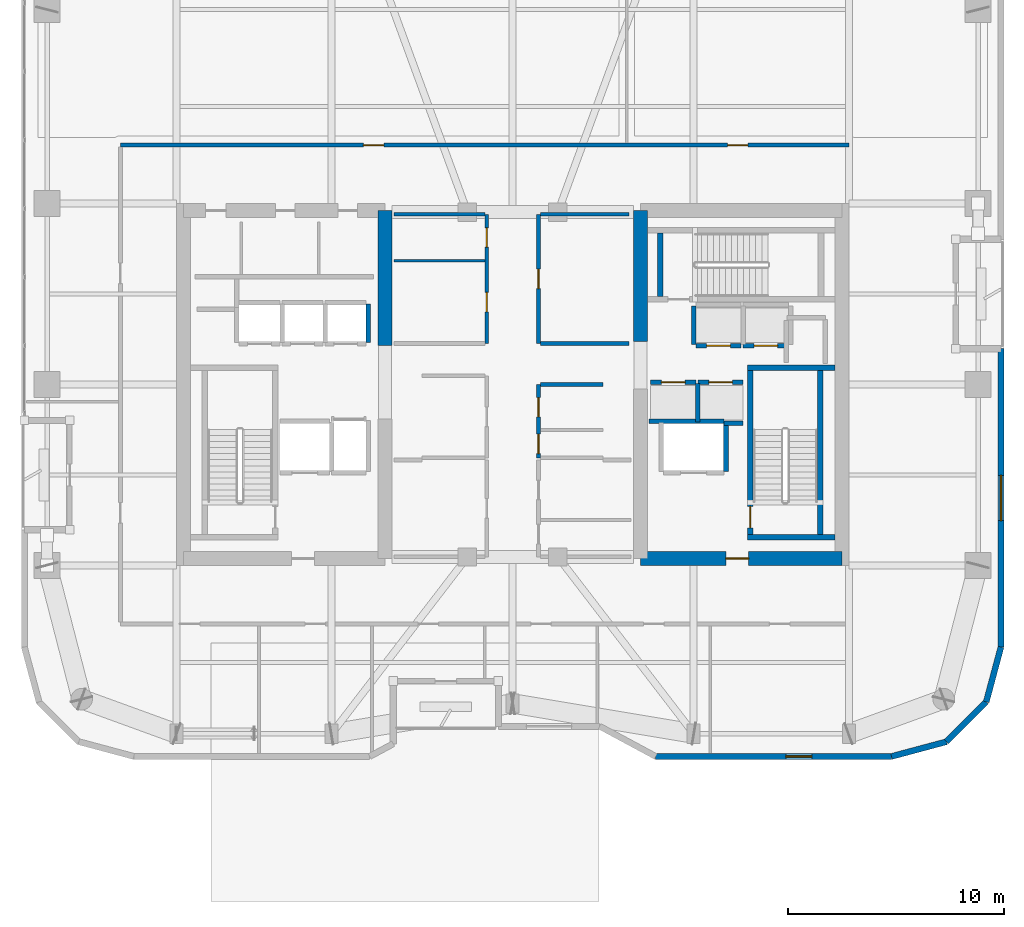
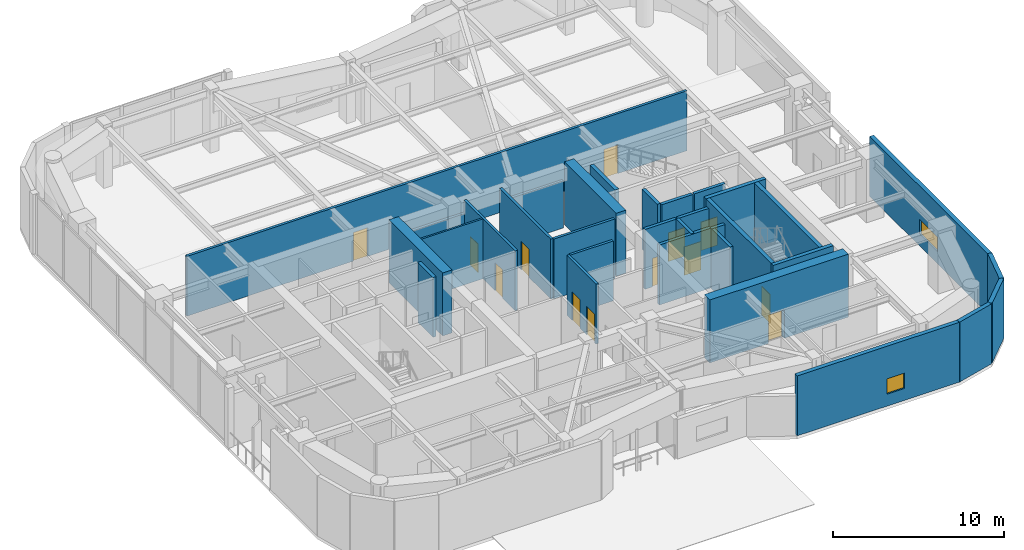
# One storey, part 13 of 18: 32 walls, 13 doors, 2 windows, 15 openings.
"""IFC4 building model written with IfcOpenShell, lengths in metres."""

from ifc_helpers import new_model, si_unit, direction, frame, frame_2d, origin, place, context, subcontext, project, spatial, rectangle, extrude, material, layer, layer_set, type_object, element, fill, save


model = new_model("IFC4")

# Units and contexts
model_context = context("Model", 3, precision=1e-05, world=origin(), true_north=direction((0.0, 1.0)))
body_context = subcontext(model_context, "Body", "Model", "MODEL_VIEW")
ifc_project = project(units=[si_unit("LENGTHUNIT", "METRE"), si_unit("AREAUNIT", "SQUARE_METRE"), si_unit("VOLUMEUNIT", "CUBIC_METRE"), si_unit("PLANEANGLEUNIT", "RADIAN"), si_unit("MASSUNIT", "GRAM", prefix="KILO")], contexts=[model_context])

# Site, building, storey
site_placement = place(None, origin())
site = spatial("IfcSite", under=ifc_project, at=site_placement, CompositionType="ELEMENT")
building_placement = place(site_placement, origin())
building = spatial("IfcBuilding", under=site, at=building_placement, Name="Kiyonajd Concourse Tower", CompositionType="ELEMENT")
storey_placement = place(building_placement, frame((0.0, 0.0, 214.800048828125)))
storey = spatial("IfcBuildingStorey", under=building, at=storey_placement, Name="L54", CompositionType="ELEMENT", Elevation=214.800048828125)

# Walls
ifc_material_1 = material(Name="Concrete C60/75", Category="concrete")
ifc_layer_1 = layer(ifc_material_1, 0.64990234375)
ifc_layer_set_1 = layer_set([ifc_layer_1], Name="Concrete C60/75")
wall_type_1 = type_object("IfcWallType", Name="WL-CORE-650", PredefinedType="SHEAR", material=ifc_layer_set_1)
wall_1_placement = place(storey_placement, frame((42.074951171875, 37.800048828125, 0.0), z_axis=(0.0, 0.0, 1.0), x_axis=(0.0, 1.0, 0.0)))
element("IfcWall", 1, at=wall_1_placement, inside=storey, type_object=wall_type_1, Name="L54 West Core Inner North Shear Wall", PredefinedType="SHEAR", context=body_context, shape_type="SweptSolid", body=[
    extrude(rectangle(XDim=6.27490234375, YDim=0.64990234375, at=frame_2d((3.137451171875, 0.0))), origin(), (0.0, 0.0, 1.0), 4.5),
])
wall_2_placement = place(storey_placement, frame((53.925048828125, 38.0, 0.0), z_axis=(0.0, 0.0, 1.0), x_axis=(0.0, 1.0, 0.0)))
element("IfcWall", 2, at=wall_2_placement, inside=storey, type_object=wall_type_1, Name="L54 East Core Inner North Shear Wall", PredefinedType="SHEAR", context=body_context, shape_type="SweptSolid", body=[
    extrude(rectangle(XDim=6.074951171875, YDim=0.64990234375, at=frame_2d((3.03759765625, 0.0))), origin(), (0.0, 0.0, 1.0), 4.5),
])

# Wall, opening, door
wall_3_placement = place(storey_placement, frame((53.925048828125, 27.925048828125, 0.0), z_axis=(0.0, 0.0, 1.0), x_axis=(1.0, 0.0, 0.0)))
wall_3 = element("IfcWall", 3, at=wall_3_placement, inside=storey, type_object=wall_type_1, Name="L54 East Core South Shear Wall", PredefinedType="SHEAR", context=body_context, shape_type="SweptSolid", body=[
    extrude(rectangle(XDim=9.349853515625, YDim=0.64990234375, at=frame_2d((4.6748046875, 0.0))), origin(), (0.0, 0.0, 1.0), 4.5),
])
opening_1_placement = place(wall_3_placement, frame((3.97509765625, 0.0, 0.0)))
opening_1 = element("IfcOpeningElement", 4, at=opening_1_placement, cuts=wall_3, Name="Opening DF5", PredefinedType="OPENING", context=body_context, shape_type="SweptSolid", body=[
    extrude(rectangle(XDim=1.050048828125, YDim=2.0400390625, at=frame_2d((0.52490234375, 1.02001953125))), frame((0.0, 0.3349609375, 0.0), z_axis=(0.0, -1.0, 0.0), x_axis=(1.0, 0.0, 0.0)), (0.0, 0.0, 1.0), 0.669921875),
])
ifc_material_2 = material(Name="Brushed Stainless Steel Cab Assembly", Category="steel")
door_type_1 = type_object("IfcDoorType", Name="DR-FD45-1050", OperationType="NOTDEFINED", PredefinedType="DOOR", material=ifc_material_2)
door_1_placement = place(opening_1_placement, origin())
door_1 = element("IfcDoor", 5, at=door_1_placement, inside=storey, type_object=door_type_1, Name="L54 Firefighting Lift Lobby E Smoke Door", OperationType="SINGLE_SWING_RIGHT", OverallHeight=2.0400390625, OverallWidth=1.050048828125, PredefinedType="DOOR", context=body_context, shape_type="SweptSolid", body=[
    extrude(rectangle(XDim=1.050048828125, YDim=2.0400390625, at=frame_2d((0.52490234375, 1.02001953125))), frame((0.0, 0.02490234375, 0.0), z_axis=(0.0, -1.0, 0.0), x_axis=(1.0, 0.0, 0.0)), (0.0, 0.0, 1.0), 0.050048828125),
])
fill(opening_1, door_1)

# Wall, opening, window
ifc_material_3 = material(Name="Precast concrete C50/60", Category="concrete")
ifc_layer_2 = layer(ifc_material_3, 0.280029296875)
ifc_layer_set_2 = layer_set([ifc_layer_2], Name="Precast concrete C50/60")
wall_type_2 = type_object("IfcWallType", Name="WL-EXT-280", PredefinedType="SOLIDWALL", material=ifc_layer_set_2)
wall_4_placement = place(storey_placement, frame((70.659912109375, 37.659912109375, 0.0), z_axis=(0.0, 0.0, 1.0), x_axis=(0.0, -1.0, 0.0)))
wall_4 = element("IfcWall", 6, at=wall_4_placement, inside=storey, type_object=wall_type_2, Name="L54 Exterior Concrete Frame Wall 24", PredefinedType="SOLIDWALL", context=body_context, shape_type="SweptSolid", body=[
    extrude(rectangle(XDim=13.841552734375, YDim=0.280029296875, at=frame_2d((6.9208984375, 0.0))), origin(), (0.0, 0.0, 1.0), 4.280029296875),
])
opening_2_placement = place(wall_4_placement, frame((5.87109375, 0.0, 0.85009765625)))
opening_2 = element("IfcOpeningElement", 7, at=opening_2_placement, cuts=wall_4, Name="Opening WN5", PredefinedType="OPENING", context=body_context, shape_type="SweptSolid", body=[
    extrude(rectangle(XDim=2.10009765625, YDim=1.050048828125, at=frame_2d((1.050048828125, 0.52490234375))), frame((0.0, 0.14990234375, 0.0), z_axis=(0.0, -1.0, 0.0), x_axis=(1.0, 0.0, 0.0)), (0.0, 0.0, 1.0), 0.300048828125),
])
ifc_material_4 = material(Name="Double Low-E Insulated Glass", Category="glass")
window_type_1 = type_object("IfcWindowType", Name="WN-VIS-2100x1050", PartitioningType="SINGLE_PANEL", PredefinedType="WINDOW", material=ifc_material_4)
window_1_placement = place(opening_2_placement, origin())
window_1 = element("IfcWindow", 8, at=window_1_placement, inside=storey, type_object=window_type_1, Name="L54 Modular Facade Vision Window 24", OverallHeight=1.050048828125, OverallWidth=2.10009765625, PartitioningType="SINGLE_PANEL", PredefinedType="WINDOW", context=body_context, shape_type="SweptSolid", body=[
    extrude(rectangle(XDim=2.10009765625, YDim=1.050048828125, at=frame_2d((1.050048828125, 0.52490234375))), frame((0.0, 0.030029296875, 0.0), z_axis=(0.0, -1.0, 0.0), x_axis=(1.0, 0.0, 0.0)), (0.0, 0.0, 1.0), 0.06005859375),
])
fill(opening_2, window_1)

# Walls
wall_5_placement = place(storey_placement, frame((70.659912109375, 23.818359375, 0.0), z_axis=(0.0, 0.0, 1.0), x_axis=(-0.2588904131, -0.965906700466, 0.0)))
element("IfcWall", 9, at=wall_5_placement, inside=storey, type_object=wall_type_2, Name="L54 Exterior Concrete Frame Wall 25", PredefinedType="SOLIDWALL", context=body_context, shape_type="SweptSolid", body=[
    extrude(rectangle(XDim=2.6357421875, YDim=0.280029296875, at=frame_2d((1.31787109375, 0.0))), origin(), (0.0, 0.0, 1.0), 4.280029296875),
])
wall_6_placement = place(storey_placement, frame((69.9775390625, 21.2724609375, 0.0), z_axis=(0.0, 0.0, 1.0), x_axis=(-0.707153437963, -0.707060121331, 0.0)))
element("IfcWall", 10, at=wall_6_placement, inside=storey, type_object=wall_type_2, Name="L54 Exterior Concrete Frame Wall 26", PredefinedType="SOLIDWALL", context=body_context, shape_type="SweptSolid", body=[
    extrude(rectangle(XDim=2.6162109375, YDim=0.280029296875, at=frame_2d((1.30810546875, 0.0))), origin(), (0.0, 0.0, 1.0), 4.280029296875),
])
wall_7_placement = place(storey_placement, frame((68.12744140625, 19.422607421875, 0.0), z_axis=(0.0, 0.0, 1.0), x_axis=(-0.965883534663, -0.258976828051, 0.0)))
element("IfcWall", 11, at=wall_7_placement, inside=storey, type_object=wall_type_2, Name="L54 Exterior Concrete Frame Wall 27", PredefinedType="SOLIDWALL", context=body_context, shape_type="SweptSolid", body=[
    extrude(rectangle(XDim=2.6357421875, YDim=0.280029296875, at=frame_2d((1.31787109375, 0.0))), origin(), (0.0, 0.0, 1.0), 4.280029296875),
])

# Wall, opening, window
wall_8_placement = place(storey_placement, frame((65.58154296875, 18.739990234375, 0.0), z_axis=(0.0, 0.0, 1.0), x_axis=(-1.0, 0.0, 0.0)))
wall_8 = element("IfcWall", 12, at=wall_8_placement, inside=storey, type_object=wall_type_2, Name="L54 Exterior Concrete Frame Wall 28", PredefinedType="SOLIDWALL", context=body_context, shape_type="SweptSolid", body=[
    extrude(rectangle(XDim=10.9462890625, YDim=0.280029296875, at=frame_2d((5.47314453125, 0.0))), origin(), (0.0, 0.0, 1.0), 4.280029296875),
])
opening_3_placement = place(wall_8_placement, frame((3.700927734375, 0.0, 0.85009765625)))
opening_3 = element("IfcOpeningElement", 13, at=opening_3_placement, cuts=wall_8, Name="Opening WN3", PredefinedType="OPENING", context=body_context, shape_type="SweptSolid", body=[
    extrude(rectangle(XDim=1.199951171875, YDim=1.10009765625, at=frame_2d((0.60009765625, 0.550048828125))), frame((0.0, 0.14990234375, 0.0), z_axis=(0.0, -1.0, 0.0), x_axis=(1.0, 0.0, 0.0)), (0.0, 0.0, 1.0), 0.300048828125),
])
window_type_2 = type_object("IfcWindowType", Name="WN-VIS-1200x1100", PartitioningType="SINGLE_PANEL", PredefinedType="WINDOW", material=ifc_material_4)
window_2_placement = place(opening_3_placement, origin())
window_2 = element("IfcWindow", 14, at=window_2_placement, inside=storey, type_object=window_type_2, Name="L54 Modular Facade Vision Window 28", OverallHeight=1.10009765625, OverallWidth=1.199951171875, PartitioningType="SINGLE_PANEL", PredefinedType="WINDOW", context=body_context, shape_type="SweptSolid", body=[
    extrude(rectangle(XDim=1.199951171875, YDim=1.10009765625, at=frame_2d((0.60009765625, 0.550048828125))), frame((0.0, 0.030029296875, 0.0), z_axis=(0.0, -1.0, 0.0), x_axis=(1.0, 0.0, 0.0)), (0.0, 0.0, 1.0), 0.06005859375),
])
fill(opening_3, window_2)

# Walls
ifc_material_5 = material(Name="Gypsum Board on Cold-Formed Steel Stud", Category="steel")
ifc_layer_3 = layer(ifc_material_5, 0.125)
ifc_layer_set_3 = layer_set([ifc_layer_3], Name="Gypsum Board on Cold-Formed Steel Stud")
wall_type_3 = type_object("IfcWallType", Name="WL-PART-125", PredefinedType="PARTITIONING", material=ifc_layer_set_3)
wall_9_placement = place(storey_placement, frame((42.5, 41.739990234375, 0.0), z_axis=(0.0, 0.0, 1.0), x_axis=(1.0, 0.0, 0.0)))
element("IfcWall", 15, at=wall_9_placement, inside=storey, type_object=wall_type_3, Name="L54 Interior Partition Wall", PredefinedType="PARTITIONING", context=body_context, shape_type="SweptSolid", body=[
    extrude(rectangle(XDim=4.212890625, YDim=0.125, at=frame_2d((2.1064453125, 0.0))), origin(), (0.0, 0.0, 1.0), 4.280029296875),
])
ifc_layer_4 = layer(ifc_material_5, 0.2099609375)
ifc_layer_set_4 = layer_set([ifc_layer_4], Name="Gypsum Board on Cold-Formed Steel Stud")
wall_type_4 = type_object("IfcWallType", Name="WL-SHAFT-210", PredefinedType="PARTITIONING", material=ifc_layer_set_4)
wall_10_placement = place(storey_placement, frame((54.320068359375, 34.300048828125, 0.0), z_axis=(0.0, 0.0, 1.0), x_axis=(1.0, 0.0, 0.0)))
element("IfcWall", 16, at=wall_10_placement, inside=storey, type_object=wall_type_4, Name="L54 Shaft Enclosure Wall", PredefinedType="PARTITIONING", context=body_context, shape_type="SweptSolid", body=[
    extrude(rectangle(XDim=3.47998046875, YDim=0.2099609375, at=frame_2d((1.739990234375, 0.0))), origin(), (0.0, 0.0, 1.0), 4.280029296875),
])
wall_11_placement = place(storey_placement, frame((57.89990234375, 31.9599609375, 0.0), z_axis=(0.0, 0.0, 1.0), x_axis=(0.0, 1.0, 0.0)))
element("IfcWall", 17, at=wall_11_placement, inside=storey, type_object=wall_type_4, Name="L54 Shaft Enclosure Wall", PredefinedType="PARTITIONING", context=body_context, shape_type="SweptSolid", body=[
    extrude(rectangle(XDim=2.280029296875, YDim=0.2099609375, at=frame_2d((1.14013671875, 0.0))), origin(), (0.0, 0.0, 1.0), 4.280029296875),
])

# Wall, opening, door
wall_12_placement = place(storey_placement, frame((54.39990234375, 36.10009765625, 0.0), z_axis=(0.0, 0.0, 1.0), x_axis=(1.0, 0.0, 0.0)))
wall_12 = element("IfcWall", 18, at=wall_12_placement, inside=storey, type_object=wall_type_4, Name="L54 Shaft Enclosure Wall", PredefinedType="PARTITIONING", context=body_context, shape_type="SweptSolid", body=[
    extrude(rectangle(XDim=2.10009765625, YDim=0.2099609375, at=frame_2d((1.050048828125, 0.0))), origin(), (0.0, 0.0, 1.0), 4.280029296875),
])
opening_4_placement = place(wall_12_placement, frame((0.5, 0.0, 0.0)))
opening_4 = element("IfcOpeningElement", 19, at=opening_4_placement, cuts=wall_12, Name="Opening LD1", PredefinedType="OPENING", context=body_context, shape_type="SweptSolid", body=[
    extrude(rectangle(XDim=1.10009765625, YDim=2.0400390625, at=frame_2d((0.550048828125, 1.02001953125))), frame((0.0, 0.114990234375, 0.0), z_axis=(0.0, -1.0, 0.0), x_axis=(1.0, 0.0, 0.0)), (0.0, 0.0, 1.0), 0.22998046875),
])
door_type_2 = type_object("IfcDoorType", Name="DR-LD-1100", OperationType="DOUBLE_DOOR_SLIDING", PredefinedType="DOOR", material=ifc_material_2)
door_2_placement = place(opening_4_placement, origin())
door_2 = element("IfcDoor", 20, at=door_2_placement, inside=storey, type_object=door_type_2, Name="L54 Lift PL-H1 Sliding Landing Door", OperationType="DOUBLE_DOOR_SLIDING", OverallHeight=2.0400390625, OverallWidth=1.10009765625, PredefinedType="DOOR", context=body_context, shape_type="SweptSolid", body=[
    extrude(rectangle(XDim=1.10009765625, YDim=2.0400390625, at=frame_2d((0.550048828125, 1.02001953125))), frame((0.0, 0.02490234375, 0.0), z_axis=(0.0, -1.0, 0.0), x_axis=(1.0, 0.0, 0.0)), (0.0, 0.0, 1.0), 0.050048828125),
])
fill(opening_4, door_2)

# Wall
wall_13_placement = place(storey_placement, frame((56.60009765625, 34.260009765625, 0.0), z_axis=(0.0, 0.0, 1.0), x_axis=(0.0, 1.0, 0.0)))
element("IfcWall", 21, at=wall_13_placement, inside=storey, type_object=wall_type_4, Name="L54 Shaft Enclosure Wall", PredefinedType="PARTITIONING", context=body_context, shape_type="SweptSolid", body=[
    extrude(rectangle(XDim=1.780029296875, YDim=0.2099609375, at=frame_2d((0.89013671875, 0.0))), origin(), (0.0, 0.0, 1.0), 4.280029296875),
])

# Wall, opening, door
wall_14_placement = place(storey_placement, frame((56.60009765625, 36.10009765625, 0.0), z_axis=(0.0, 0.0, 1.0), x_axis=(1.0, 0.0, 0.0)))
wall_14 = element("IfcWall", 22, at=wall_14_placement, inside=storey, type_object=wall_type_4, Name="L54 Shaft Enclosure Wall", PredefinedType="PARTITIONING", context=body_context, shape_type="SweptSolid", body=[
    extrude(rectangle(XDim=2.099853515625, YDim=0.2099609375, at=frame_2d((1.0498046875, 0.0))), origin(), (0.0, 0.0, 1.0), 4.280029296875),
])
opening_5_placement = place(wall_14_placement, frame((0.5, 0.0, 0.0)))
opening_5 = element("IfcOpeningElement", 23, at=opening_5_placement, cuts=wall_14, Name="Opening LD1", PredefinedType="OPENING", context=body_context, shape_type="SweptSolid", body=[
    extrude(rectangle(XDim=1.10009765625, YDim=2.0400390625, at=frame_2d((0.550048828125, 1.02001953125))), frame((0.0, 0.114990234375, 0.0), z_axis=(0.0, -1.0, 0.0), x_axis=(1.0, 0.0, 0.0)), (0.0, 0.0, 1.0), 0.22998046875),
])
door_3_placement = place(opening_5_placement, origin())
door_3 = element("IfcDoor", 24, at=door_3_placement, inside=storey, type_object=door_type_2, Name="L54 Lift PL-H2 Sliding Landing Door", OperationType="DOUBLE_DOOR_SLIDING", OverallHeight=2.0400390625, OverallWidth=1.10009765625, PredefinedType="DOOR", context=body_context, shape_type="SweptSolid", body=[
    extrude(rectangle(XDim=1.10009765625, YDim=2.0400390625, at=frame_2d((0.550048828125, 1.02001953125))), frame((0.0, 0.02490234375, 0.0), z_axis=(0.0, -1.0, 0.0), x_axis=(1.0, 0.0, 0.0)), (0.0, 0.0, 1.0), 0.050048828125),
])
fill(opening_5, door_3)

# Wall
wall_15_placement = place(storey_placement, frame((57.800048828125, 34.199951171875, 0.0), z_axis=(0.0, 0.0, 1.0), x_axis=(1.0, 0.0, 0.0)))
element("IfcWall", 25, at=wall_15_placement, inside=storey, type_object=wall_type_4, Name="L54 Shaft Enclosure Wall", PredefinedType="PARTITIONING", context=body_context, shape_type="SweptSolid", body=[
    extrude(rectangle(XDim=0.89990234375, YDim=0.2099609375, at=frame_2d((0.449951171875, 0.0))), origin(), (0.0, 0.0, 1.0), 4.280029296875),
])

# Wall, opening, door
wall_16_placement = place(storey_placement, frame((56.5, 37.800048828125, 0.0), z_axis=(0.0, 0.0, 1.0), x_axis=(1.0, 0.0, 0.0)))
wall_16 = element("IfcWall", 26, at=wall_16_placement, inside=storey, type_object=wall_type_4, Name="L54 Shaft Enclosure Wall", PredefinedType="PARTITIONING", context=body_context, shape_type="SweptSolid", body=[
    extrude(rectangle(XDim=2.10009765625, YDim=0.2099609375, at=frame_2d((1.050048828125, 0.0))), origin(), (0.0, 0.0, 1.0), 4.280029296875),
])
opening_6_placement = place(wall_16_placement, frame((0.5, 0.0, 0.0)))
opening_6 = element("IfcOpeningElement", 27, at=opening_6_placement, cuts=wall_16, Name="Opening LD1", PredefinedType="OPENING", context=body_context, shape_type="SweptSolid", body=[
    extrude(rectangle(XDim=1.10009765625, YDim=2.0400390625, at=frame_2d((0.550048828125, 1.02001953125))), frame((0.0, 0.114990234375, 0.0), z_axis=(0.0, -1.0, 0.0), x_axis=(1.0, 0.0, 0.0)), (0.0, 0.0, 1.0), 0.22998046875),
])
door_4_placement = place(opening_6_placement, origin())
door_4 = element("IfcDoor", 28, at=door_4_placement, inside=storey, type_object=door_type_2, Name="L54 Lift PL-H3 Sliding Landing Door", OperationType="DOUBLE_DOOR_SLIDING", OverallHeight=2.0400390625, OverallWidth=1.10009765625, PredefinedType="DOOR", context=body_context, shape_type="SweptSolid", body=[
    extrude(rectangle(XDim=1.10009765625, YDim=2.0400390625, at=frame_2d((0.550048828125, 1.02001953125))), frame((0.0, 0.02490234375, 0.0), z_axis=(0.0, -1.0, 0.0), x_axis=(1.0, 0.0, 0.0)), (0.0, 0.0, 1.0), 0.050048828125),
])
fill(opening_6, door_4)

# Wall
wall_17_placement = place(storey_placement, frame((56.39990234375, 37.860107421875, 0.0), z_axis=(0.0, 0.0, 1.0), x_axis=(0.0, 1.0, 0.0)))
element("IfcWall", 29, at=wall_17_placement, inside=storey, type_object=wall_type_4, Name="L54 Shaft Enclosure Wall", PredefinedType="PARTITIONING", context=body_context, shape_type="SweptSolid", body=[
    extrude(rectangle(XDim=1.77978515625, YDim=0.2099609375, at=frame_2d((0.889892578125, 0.0))), origin(), (0.0, 0.0, 1.0), 4.280029296875),
])

# Wall, opening, door
wall_18_placement = place(storey_placement, frame((58.699951171875, 37.800048828125, 0.0), z_axis=(0.0, 0.0, 1.0), x_axis=(1.0, 0.0, 0.0)))
wall_18 = element("IfcWall", 30, at=wall_18_placement, inside=storey, type_object=wall_type_4, Name="L54 Shaft Enclosure Wall", PredefinedType="PARTITIONING", context=body_context, shape_type="SweptSolid", body=[
    extrude(rectangle(XDim=2.10009765625, YDim=0.2099609375, at=frame_2d((1.050048828125, 0.0))), origin(), (0.0, 0.0, 1.0), 4.280029296875),
])
opening_7_placement = place(wall_18_placement, frame((0.5, 0.0, 0.0)))
opening_7 = element("IfcOpeningElement", 31, at=opening_7_placement, cuts=wall_18, Name="Opening LD1", PredefinedType="OPENING", context=body_context, shape_type="SweptSolid", body=[
    extrude(rectangle(XDim=1.10009765625, YDim=2.0400390625, at=frame_2d((0.550048828125, 1.02001953125))), frame((0.0, 0.114990234375, 0.0), z_axis=(0.0, -1.0, 0.0), x_axis=(1.0, 0.0, 0.0)), (0.0, 0.0, 1.0), 0.22998046875),
])
door_5_placement = place(opening_7_placement, origin())
door_5 = element("IfcDoor", 32, at=door_5_placement, inside=storey, type_object=door_type_2, Name="L54 Lift PL-H4 Sliding Landing Door", OperationType="DOUBLE_DOOR_SLIDING", OverallHeight=2.0400390625, OverallWidth=1.10009765625, PredefinedType="DOOR", context=body_context, shape_type="SweptSolid", body=[
    extrude(rectangle(XDim=1.10009765625, YDim=2.0400390625, at=frame_2d((0.550048828125, 1.02001953125))), frame((0.0, 0.02490234375, 0.0), z_axis=(0.0, -1.0, 0.0), x_axis=(1.0, 0.0, 0.0)), (0.0, 0.0, 1.0), 0.050048828125),
])
fill(opening_7, door_5)

# Wall
wall_19_placement = place(storey_placement, frame((41.300048828125, 37.9599609375, 0.0), z_axis=(0.0, 0.0, 1.0), x_axis=(0.0, 1.0, 0.0)))
element("IfcWall", 33, at=wall_19_placement, inside=storey, type_object=wall_type_4, Name="L54 Shaft Enclosure Wall", PredefinedType="PARTITIONING", context=body_context, shape_type="SweptSolid", body=[
    extrude(rectangle(XDim=1.780029296875, YDim=0.2099609375, at=frame_2d((0.89013671875, 0.0))), origin(), (0.0, 0.0, 1.0), 4.280029296875),
])

# Wall, openings, doors
ifc_layer_5 = layer(ifc_material_5, 0.169921875)
ifc_layer_set_5 = layer_set([ifc_layer_5], Name="Gypsum Board on Cold-Formed Steel Stud")
wall_type_5 = type_object("IfcWallType", Name="WL-SMK-170", PredefinedType="PARTITIONING", material=ifc_layer_set_5)
wall_20_placement = place(storey_placement, frame((49.199951171875, 32.60009765625, 0.0), z_axis=(0.0, 0.0, 1.0), x_axis=(0.0, 1.0, 0.0)))
wall_20 = element("IfcWall", 34, at=wall_20_placement, inside=storey, type_object=wall_type_5, Name="L54 Interior Partition Wall", PredefinedType="PARTITIONING", context=body_context, shape_type="SweptSolid", body=[
    extrude(rectangle(XDim=3.39990234375, YDim=0.169921875, at=frame_2d((1.699951171875, 0.0))), origin(), (0.0, 0.0, 1.0), 4.280029296875),
])
opening_8_placement = place(wall_20_placement, frame((0.196044921875, 0.0, 0.0)))
opening_8 = element("IfcOpeningElement", 35, at=opening_8_placement, cuts=wall_20, Name="Opening DI2", PredefinedType="OPENING", context=body_context, shape_type="SweptSolid", body=[
    extrude(rectangle(XDim=0.89990234375, YDim=2.02001953125, at=frame_2d((0.449951171875, 1.010009765625))), frame((0.0, 0.094970703125, 0.0), z_axis=(0.0, -1.0, 0.0), x_axis=(1.0, 0.0, 0.0)), (0.0, 0.0, 1.0), 0.18994140625),
])
opening_9_placement = place(wall_20_placement, frame((1.89599609375, 0.0, 0.0)))
opening_9 = element("IfcOpeningElement", 36, at=opening_9_placement, cuts=wall_20, Name="Opening DI2", PredefinedType="OPENING", context=body_context, shape_type="SweptSolid", body=[
    extrude(rectangle(XDim=0.89990234375, YDim=2.02001953125, at=frame_2d((0.449951171875, 1.010009765625))), frame((0.0, 0.094970703125, 0.0), z_axis=(0.0, -1.0, 0.0), x_axis=(1.0, 0.0, 0.0)), (0.0, 0.0, 1.0), 0.18994140625),
])
ifc_material_6 = material(Name="Natural Oak Acoustic Timber Veneer", Category="wood")
door_type_3 = type_object("IfcDoorType", Name="DR-INT-900", OperationType="NOTDEFINED", PredefinedType="DOOR", material=ifc_material_6)
door_6_placement = place(opening_8_placement, origin())
door_6 = element("IfcDoor", 37, at=door_6_placement, inside=storey, type_object=door_type_3, Name="L54 Interior Door", OperationType="SINGLE_SWING_RIGHT", OverallHeight=2.02001953125, OverallWidth=0.89990234375, PredefinedType="DOOR", context=body_context, shape_type="SweptSolid", body=[
    extrude(rectangle(XDim=0.89990234375, YDim=2.02001953125, at=frame_2d((0.449951171875, 1.010009765625))), frame((0.0, 0.02490234375, 0.0), z_axis=(0.0, -1.0, 0.0), x_axis=(1.0, 0.0, 0.0)), (0.0, 0.0, 1.0), 0.050048828125),
])
fill(opening_8, door_6)
door_7_placement = place(opening_9_placement, origin())
door_7 = element("IfcDoor", 38, at=door_7_placement, inside=storey, type_object=door_type_3, Name="L54 Interior Door", OperationType="SINGLE_SWING_LEFT", OverallHeight=2.02001953125, OverallWidth=0.89990234375, PredefinedType="DOOR", context=body_context, shape_type="SweptSolid", body=[
    extrude(rectangle(XDim=0.89990234375, YDim=2.02001953125, at=frame_2d((0.449951171875, 1.010009765625))), frame((0.0, 0.02490234375, 0.0), z_axis=(0.0, -1.0, 0.0), x_axis=(1.0, 0.0, 0.0)), (0.0, 0.0, 1.0), 0.050048828125),
])
fill(opening_9, door_7)

# Wall
wall_21_placement = place(storey_placement, frame((49.287109375, 36.0, 0.0), z_axis=(0.0, 0.0, 1.0), x_axis=(1.0, 0.0, 0.0)))
element("IfcWall", 39, at=wall_21_placement, inside=storey, type_object=wall_type_5, Name="L54 Interior Partition Wall", PredefinedType="PARTITIONING", context=body_context, shape_type="SweptSolid", body=[
    extrude(rectangle(XDim=2.912841796875, YDim=0.169921875, at=frame_2d((1.45654296875, 0.0))), origin(), (0.0, 0.0, 1.0), 4.280029296875),
])

# Wall, openings, doors
wall_22_placement = place(storey_placement, frame((46.800048828125, 37.89990234375, 0.0), z_axis=(0.0, 0.0, 1.0), x_axis=(0.0, 1.0, 0.0)))
wall_22 = element("IfcWall", 40, at=wall_22_placement, inside=storey, type_object=wall_type_5, Name="L54 Interior Partition Wall", PredefinedType="PARTITIONING", context=body_context, shape_type="SweptSolid", body=[
    extrude(rectangle(XDim=6.0, YDim=0.169921875, at=frame_2d((3.0, 0.0))), origin(), (0.0, 0.0, 1.0), 4.280029296875),
])
opening_10_placement = place(wall_22_placement, frame((1.469970703125, 0.0, 0.0)))
opening_10 = element("IfcOpeningElement", 41, at=opening_10_placement, cuts=wall_22, Name="Opening DF4", PredefinedType="OPENING", context=body_context, shape_type="SweptSolid", body=[
    extrude(rectangle(XDim=0.89990234375, YDim=2.02001953125, at=frame_2d((0.449951171875, 1.010009765625))), frame((0.0, 0.094970703125, 0.0), z_axis=(0.0, -1.0, 0.0), x_axis=(1.0, 0.0, 0.0)), (0.0, 0.0, 1.0), 0.18994140625),
])
opening_11_placement = place(wall_22_placement, frame((4.469970703125, 0.0, 0.0)))
opening_11 = element("IfcOpeningElement", 42, at=opening_11_placement, cuts=wall_22, Name="Opening DF4", PredefinedType="OPENING", context=body_context, shape_type="SweptSolid", body=[
    extrude(rectangle(XDim=0.89990234375, YDim=2.02001953125, at=frame_2d((0.449951171875, 1.010009765625))), frame((0.0, 0.094970703125, 0.0), z_axis=(0.0, -1.0, 0.0), x_axis=(1.0, 0.0, 0.0)), (0.0, 0.0, 1.0), 0.18994140625),
])
door_type_4 = type_object("IfcDoorType", Name="DR-FD60-900", OperationType="NOTDEFINED", PredefinedType="DOOR", material=ifc_material_2)
door_8_placement = place(opening_10_placement, origin())
door_8 = element("IfcDoor", 43, at=door_8_placement, inside=storey, type_object=door_type_4, Name="L54 Interior Door", OperationType="SINGLE_SWING_LEFT", OverallHeight=2.02001953125, OverallWidth=0.89990234375, PredefinedType="DOOR", context=body_context, shape_type="SweptSolid", body=[
    extrude(rectangle(XDim=0.89990234375, YDim=2.02001953125, at=frame_2d((0.449951171875, 1.010009765625))), frame((0.0, 0.02490234375, 0.0), z_axis=(0.0, -1.0, 0.0), x_axis=(1.0, 0.0, 0.0)), (0.0, 0.0, 1.0), 0.050048828125),
])
fill(opening_10, door_8)
door_9_placement = place(opening_11_placement, origin())
door_9 = element("IfcDoor", 44, at=door_9_placement, inside=storey, type_object=door_type_4, Name="L54 Interior Door", OperationType="SINGLE_SWING_RIGHT", OverallHeight=2.02001953125, OverallWidth=0.89990234375, PredefinedType="DOOR", context=body_context, shape_type="SweptSolid", body=[
    extrude(rectangle(XDim=0.89990234375, YDim=2.02001953125, at=frame_2d((0.449951171875, 1.010009765625))), frame((0.0, 0.02490234375, 0.0), z_axis=(0.0, -1.0, 0.0), x_axis=(1.0, 0.0, 0.0)), (0.0, 0.0, 1.0), 0.050048828125),
])
fill(opening_11, door_9)

# Wall
wall_23_placement = place(storey_placement, frame((42.5, 43.89990234375, 0.0), z_axis=(0.0, 0.0, 1.0), x_axis=(1.0, 0.0, 0.0)))
element("IfcWall", 45, at=wall_23_placement, inside=storey, type_object=wall_type_5, Name="L54 Interior Partition Wall", PredefinedType="PARTITIONING", context=body_context, shape_type="SweptSolid", body=[
    extrude(rectangle(XDim=4.212890625, YDim=0.169921875, at=frame_2d((2.1064453125, 0.0))), origin(), (0.0, 0.0, 1.0), 3.364990234375),
])

# Wall, opening, door
wall_24_placement = place(storey_placement, frame((49.199951171875, 37.89990234375, 0.0), z_axis=(0.0, 0.0, 1.0), x_axis=(0.0, 1.0, 0.0)))
wall_24 = element("IfcWall", 46, at=wall_24_placement, inside=storey, type_object=wall_type_5, Name="L54 Interior Partition Wall", PredefinedType="PARTITIONING", context=body_context, shape_type="SweptSolid", body=[
    extrude(rectangle(XDim=6.0, YDim=0.169921875, at=frame_2d((3.0, 0.0))), origin(), (0.0, 0.0, 1.0), 4.280029296875),
])
opening_12_placement = place(wall_24_placement, frame((2.550048828125, 0.0, 0.0)))
opening_12 = element("IfcOpeningElement", 47, at=opening_12_placement, cuts=wall_24, Name="Opening DI2", PredefinedType="OPENING", context=body_context, shape_type="SweptSolid", body=[
    extrude(rectangle(XDim=0.89990234375, YDim=2.02001953125, at=frame_2d((0.449951171875, 1.010009765625))), frame((0.0, 0.094970703125, 0.0), z_axis=(0.0, -1.0, 0.0), x_axis=(1.0, 0.0, 0.0)), (0.0, 0.0, 1.0), 0.18994140625),
])
door_10_placement = place(opening_12_placement, origin())
door_10 = element("IfcDoor", 48, at=door_10_placement, inside=storey, type_object=door_type_3, Name="L54 Interior Door", OperationType="SINGLE_SWING_LEFT", OverallHeight=2.02001953125, OverallWidth=0.89990234375, PredefinedType="DOOR", context=body_context, shape_type="SweptSolid", body=[
    extrude(rectangle(XDim=0.89990234375, YDim=2.02001953125, at=frame_2d((0.449951171875, 1.010009765625))), frame((0.0, 0.02490234375, 0.0), z_axis=(0.0, -1.0, 0.0), x_axis=(1.0, 0.0, 0.0)), (0.0, 0.0, 1.0), 0.050048828125),
])
fill(opening_12, door_10)

# Walls
wall_25_placement = place(storey_placement, frame((49.287109375, 37.89990234375, 0.0), z_axis=(0.0, 0.0, 1.0), x_axis=(1.0, 0.0, 0.0)))
element("IfcWall", 49, at=wall_25_placement, inside=storey, type_object=wall_type_5, Name="L54 Interior Partition Wall", PredefinedType="PARTITIONING", context=body_context, shape_type="SweptSolid", body=[
    extrude(rectangle(XDim=4.11279296875, YDim=0.169921875, at=frame_2d((2.056396484375, 0.0))), origin(), (0.0, 0.0, 1.0), 4.280029296875),
])
wall_26_placement = place(storey_placement, frame((49.287109375, 43.89990234375, 0.0), z_axis=(0.0, 0.0, 1.0), x_axis=(1.0, 0.0, 0.0)))
element("IfcWall", 50, at=wall_26_placement, inside=storey, type_object=wall_type_5, Name="L54 Interior Partition Wall", PredefinedType="PARTITIONING", context=body_context, shape_type="SweptSolid", body=[
    extrude(rectangle(XDim=4.11279296875, YDim=0.169921875, at=frame_2d((2.056396484375, 0.0))), origin(), (0.0, 0.0, 1.0), 3.364990234375),
])

# Wall, openings, doors
wall_27_placement = place(storey_placement, frame((29.800048828125, 47.110107421875, 0.0), z_axis=(0.0, 0.0, 1.0), x_axis=(1.0, 0.0, 0.0)))
wall_27 = element("IfcWall", 51, at=wall_27_placement, inside=storey, type_object=wall_type_5, Name="L54 Interior Partition Wall", PredefinedType="PARTITIONING", context=body_context, shape_type="SweptSolid", body=[
    extrude(rectangle(XDim=33.800048828125, YDim=0.169921875, at=frame_2d((16.89990234375, 0.0))), origin(), (0.0, 0.0, 1.0), 4.280029296875),
])
opening_13_placement = place(wall_27_placement, frame((11.27001953125, 0.0, 0.0)))
opening_13 = element("IfcOpeningElement", 52, at=opening_13_placement, cuts=wall_27, Name="Opening DI1", PredefinedType="OPENING", context=body_context, shape_type="SweptSolid", body=[
    extrude(rectangle(XDim=0.949951171875, YDim=2.0400390625, at=frame_2d((0.47509765625, 1.02001953125))), frame((0.0, 0.094970703125, 0.0), z_axis=(0.0, -1.0, 0.0), x_axis=(1.0, 0.0, 0.0)), (0.0, 0.0, 1.0), 0.18994140625),
])
opening_14_placement = place(wall_27_placement, frame((28.169921875, 0.0, 0.0)))
opening_14 = element("IfcOpeningElement", 53, at=opening_14_placement, cuts=wall_27, Name="Opening DI1", PredefinedType="OPENING", context=body_context, shape_type="SweptSolid", body=[
    extrude(rectangle(XDim=0.949951171875, YDim=2.0400390625, at=frame_2d((0.47509765625, 1.02001953125))), frame((0.0, 0.094970703125, 0.0), z_axis=(0.0, -1.0, 0.0), x_axis=(1.0, 0.0, 0.0)), (0.0, 0.0, 1.0), 0.18994140625),
])
door_type_5 = type_object("IfcDoorType", Name="DR-INT-950", OperationType="NOTDEFINED", PredefinedType="DOOR", material=ifc_material_6)
door_11_placement = place(opening_13_placement, origin())
door_11 = element("IfcDoor", 54, at=door_11_placement, inside=storey, type_object=door_type_5, Name="L54 Interior Door", OperationType="SINGLE_SWING_RIGHT", OverallHeight=2.0400390625, OverallWidth=0.949951171875, PredefinedType="DOOR", context=body_context, shape_type="SweptSolid", body=[
    extrude(rectangle(XDim=0.949951171875, YDim=2.0400390625, at=frame_2d((0.47509765625, 1.02001953125))), frame((0.0, 0.02490234375, 0.0), z_axis=(0.0, -1.0, 0.0), x_axis=(1.0, 0.0, 0.0)), (0.0, 0.0, 1.0), 0.050048828125),
])
fill(opening_13, door_11)
door_12_placement = place(opening_14_placement, origin())
door_12 = element("IfcDoor", 55, at=door_12_placement, inside=storey, type_object=door_type_5, Name="L54 Interior Door", OperationType="SINGLE_SWING_LEFT", OverallHeight=2.0400390625, OverallWidth=0.949951171875, PredefinedType="DOOR", context=body_context, shape_type="SweptSolid", body=[
    extrude(rectangle(XDim=0.949951171875, YDim=2.0400390625, at=frame_2d((0.47509765625, 1.02001953125))), frame((0.0, 0.02490234375, 0.0), z_axis=(0.0, -1.0, 0.0), x_axis=(1.0, 0.0, 0.0)), (0.0, 0.0, 1.0), 0.050048828125),
])
fill(opening_14, door_12)

# Walls
ifc_material_7 = material(Name="Concrete C50/60", Category="concrete")
ifc_layer_6 = layer(ifc_material_7, 0.260009765625)
ifc_layer_set_6 = layer_set([ifc_layer_6], Name="Concrete C50/60")
wall_type_6 = type_object("IfcWallType", Name="WL-STAIR-260", PredefinedType="SHEAR", material=ifc_layer_set_6)
for number, where, z_axis, x_axis, name in (
    (56, (58.889892578125, 28.919921875, 0.0), (0.0, 0.0, 1.0), (1.0, 0.0, 0.0), "L54 Stair ST2 Structural South Wall"),
    (57, (58.889892578125, 36.780029296875, 0.0), (0.0, 0.0, 1.0), (1.0, 0.0, 0.0), "L54 Stair ST2 Structural North Wall"),
):
    element("IfcWall", number, at=place(storey_placement, frame(where, z_axis=z_axis, x_axis=x_axis)), inside=storey, type_object=wall_type_6, Name=name, PredefinedType="SHEAR", context=body_context, shape_type="SweptSolid", body=[
        extrude(rectangle(XDim=4.06005859375, YDim=0.260009765625, at=frame_2d((2.030029296875, 0.0))), origin(), (0.0, 0.0, 1.0), 4.5),
    ])

# Wall, opening, door
wall_28_placement = place(storey_placement, frame((59.02001953125, 29.050048828125, 0.0), z_axis=(0.0, 0.0, 1.0), x_axis=(0.0, 1.0, 0.0)))
wall_28 = element("IfcWall", 58, at=wall_28_placement, inside=storey, type_object=wall_type_6, Name="L54 Stair ST2 Structural West Wall", PredefinedType="SHEAR", context=body_context, shape_type="SweptSolid", body=[
    extrude(rectangle(XDim=7.599853515625, YDim=0.260009765625, at=frame_2d((3.7998046875, 0.0))), origin(), (0.0, 0.0, 1.0), 4.5),
])
opening_15_placement = place(wall_28_placement, frame((0.300048828125, 0.0, 0.0)))
opening_15 = element("IfcOpeningElement", 59, at=opening_15_placement, cuts=wall_28, Name="Opening DF1", PredefinedType="OPENING", context=body_context, shape_type="SweptSolid", body=[
    extrude(rectangle(XDim=1.0, YDim=2.0400390625, at=frame_2d((0.5, 1.02001953125))), frame((0.0, 0.139892578125, 0.0), z_axis=(0.0, -1.0, 0.0), x_axis=(1.0, 0.0, 0.0)), (0.0, 0.0, 1.0), 0.280029296875),
])
door_type_6 = type_object("IfcDoorType", Name="DR-FD90-1000", OperationType="NOTDEFINED", PredefinedType="DOOR", material=ifc_material_2)
door_13_placement = place(opening_15_placement, origin())
door_13 = element("IfcDoor", 60, at=door_13_placement, inside=storey, type_object=door_type_6, Name="L54 Stair ST2 FSAE Door", OperationType="SINGLE_SWING_RIGHT", OverallHeight=2.0400390625, OverallWidth=1.0, PredefinedType="DOOR", context=body_context, shape_type="SweptSolid", body=[
    extrude(rectangle(XDim=1.0, YDim=2.0400390625, at=frame_2d((0.5, 1.02001953125))), frame((0.0, 0.02490234375, 0.0), z_axis=(0.0, -1.0, 0.0), x_axis=(1.0, 0.0, 0.0)), (0.0, 0.0, 1.0), 0.050048828125),
])
fill(opening_15, door_13)

# Walls
wall_29_placement = place(storey_placement, frame((62.280029296875, 29.050048828125, 0.0), z_axis=(0.0, 0.0, 1.0), x_axis=(0.0, 1.0, 0.0)))
element("IfcWall", 61, at=wall_29_placement, inside=storey, type_object=wall_type_6, Name="L54 Stair ST2 Structural East Wall", PredefinedType="SHEAR", context=body_context, shape_type="SweptSolid", body=[
    extrude(rectangle(XDim=7.599853515625, YDim=0.260009765625, at=frame_2d((3.7998046875, 0.0))), origin(), (0.0, 0.0, 1.0), 4.5),
])
wall_30_placement = place(storey_placement, frame((54.85009765625, 40.080078125, 0.0), z_axis=(0.0, 0.0, 1.0), x_axis=(0.0, 1.0, 0.0)))
element("IfcWall", 62, at=wall_30_placement, inside=storey, type_object=wall_type_6, Name="L54 Stair ST3 Structural West Wall", PredefinedType="SHEAR", context=body_context, shape_type="SweptSolid", body=[
    extrude(rectangle(XDim=2.93994140625, YDim=0.260009765625, at=frame_2d((1.469970703125, 0.0))), origin(), (0.0, 0.0, 1.0), 4.5),
])

save(model, "model.ifc")
